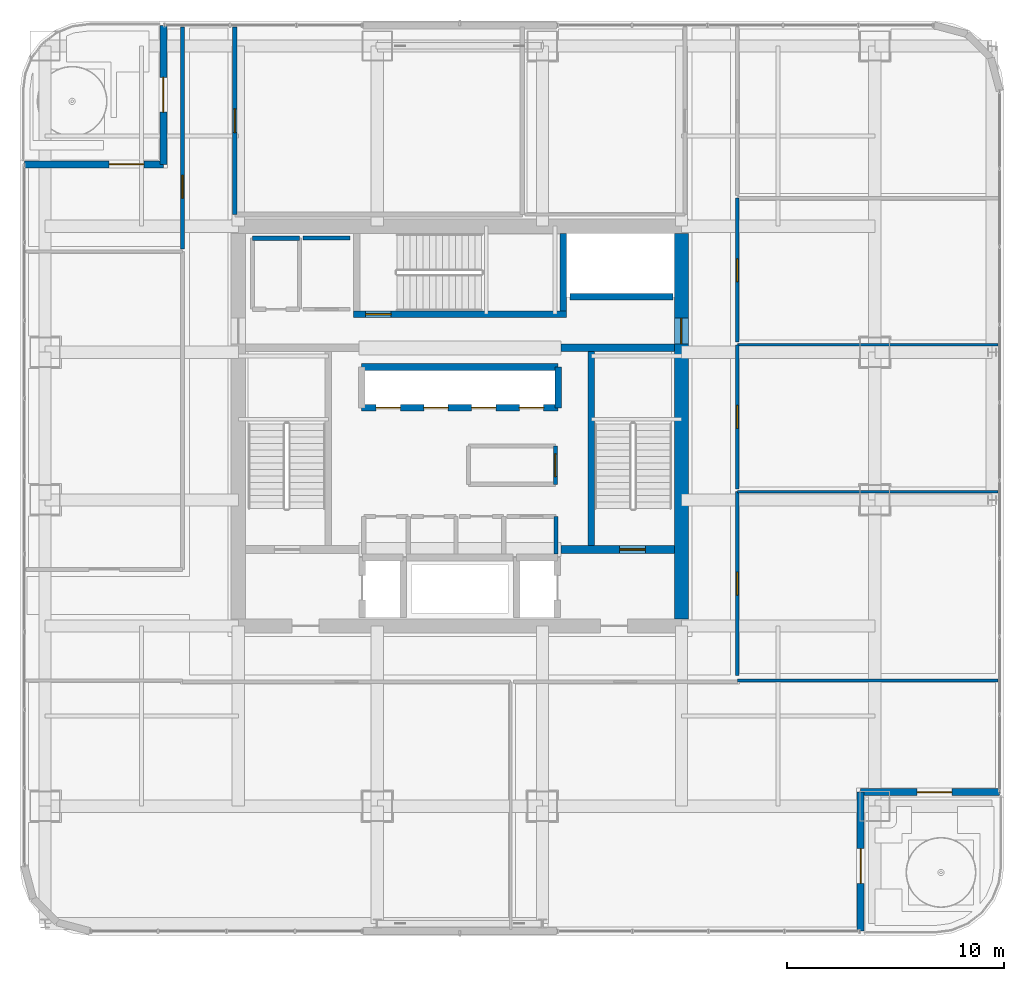
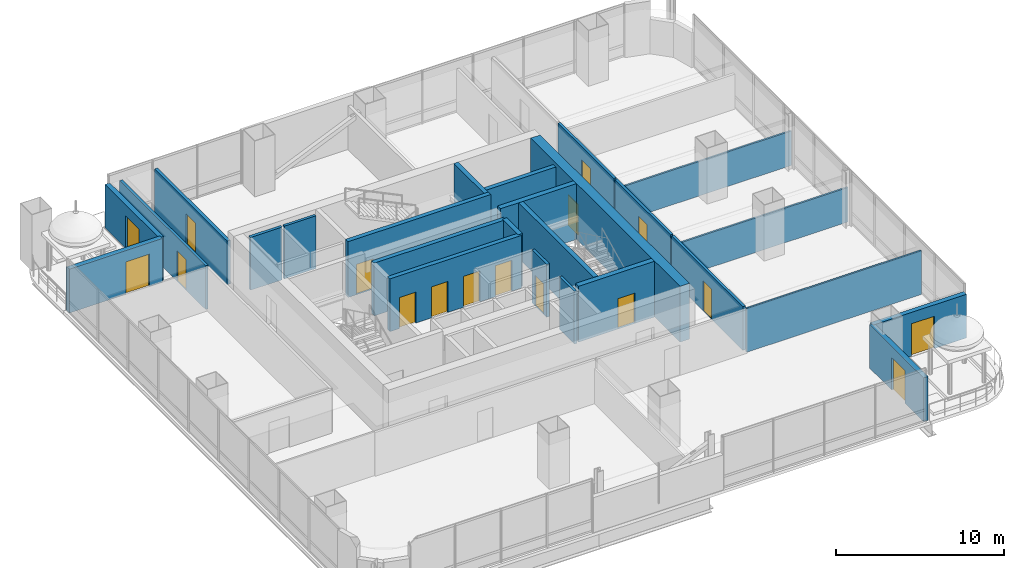
# One storey, part 31 of 41: 26 walls, 17 doors, 17 openings.
"""IFC4 building model written with IfcOpenShell, lengths in metres."""

from ifc_helpers import new_model, si_unit, direction, frame, frame_2d, origin, place, context, subcontext, project, spatial, rectangle, extrude, material, layer, layer_set, type_object, element, fill, save


model = new_model("IFC4")

# Units and contexts
model_context = context("Model", 3, precision=1e-05, world=origin(), true_north=direction((0.0, 1.0)))
body_context = subcontext(model_context, "Body", "Model", "MODEL_VIEW")
ifc_project = project(units=[si_unit("LENGTHUNIT", "METRE"), si_unit("AREAUNIT", "SQUARE_METRE"), si_unit("VOLUMEUNIT", "CUBIC_METRE"), si_unit("PLANEANGLEUNIT", "RADIAN"), si_unit("MASSUNIT", "GRAM", prefix="KILO")], contexts=[model_context])

# Site, building, storey
site_placement = place(None, origin())
site = spatial("IfcSite", under=ifc_project, at=site_placement, CompositionType="ELEMENT")
building_placement = place(site_placement, origin())
building = spatial("IfcBuilding", under=site, at=building_placement, Name="Punatoya Terracotta Tower", CompositionType="ELEMENT")
storey_placement = place(building_placement, frame((0.0, 0.0, 220.800048828125)))
storey = spatial("IfcBuildingStorey", under=building, at=storey_placement, Name="L52", CompositionType="ELEMENT", Elevation=220.800048828125)

# Wall, opening, door
ifc_material_1 = material(Name="Concrete C60/75", Category="concrete")
ifc_layer_1 = layer(ifc_material_1, 0.64990234375)
ifc_layer_set_1 = layer_set([ifc_layer_1], Name="Concrete C60/75")
wall_type_1 = type_object("IfcWallType", Name="WL-COR-650", PredefinedType="SHEAR", material=ifc_layer_set_1)
wall_1_placement = place(storey_placement, frame((10.199951171875, 8.875, 0.0), z_axis=(0.0, 0.0, 1.0), x_axis=(0.0, -1.0, 0.0)))
wall_1 = element("IfcWall", 1, at=wall_1_placement, inside=storey, type_object=wall_type_1, Name="L52 Core Shear Wall E", PredefinedType="SHEAR", context=body_context, shape_type="SweptSolid", body=[
    extrude(rectangle(XDim=17.75, YDim=0.64990234375, at=frame_2d((8.875, 0.0))), origin(), (0.0, 0.0, 1.0), 4.050048828125),
])
opening_1_placement = place(wall_1_placement, frame((3.905029296875, 0.0, 0.0)))
opening_1 = element("IfcOpeningElement", 2, at=opening_1_placement, cuts=wall_1, Name="Opening SD-01", PredefinedType="OPENING", context=body_context, shape_type="SweptSolid", body=[
    extrude(rectangle(XDim=1.179931640625, YDim=2.199951171875, at=frame_2d((0.58984375, 1.10009765625))), frame((0.0, 0.3349609375, 0.0), z_axis=(0.0, -1.0, 0.0), x_axis=(1.0, 0.0, 0.0)), (0.0, 0.0, 1.0), 0.669921875),
])
ifc_material_2 = material(Name="Galvanised Steel Pressurized Stair Fire Door", Category="steel")
door_type_1 = type_object("IfcDoorType", Name="DR-STR-1180", OperationType="NOTDEFINED", PredefinedType="DOOR", material=ifc_material_2)
door_1_placement = place(opening_1_placement, origin())
door_1 = element("IfcDoor", 3, at=door_1_placement, inside=storey, type_object=door_type_1, Name="L52 Central Lift Lobby East Fire Door", OperationType="SINGLE_SWING_RIGHT", OverallHeight=2.199951171875, OverallWidth=1.179931640625, PredefinedType="DOOR", context=body_context, shape_type="SweptSolid", body=[
    extrude(rectangle(XDim=1.179931640625, YDim=2.199951171875, at=frame_2d((0.58984375, 1.10009765625))), frame((0.0, 0.02490234375, 0.0), z_axis=(0.0, -1.0, 0.0), x_axis=(1.0, 0.0, 0.0)), (0.0, 0.0, 1.0), 0.050048828125),
])
fill(opening_1, door_1)

# Walls
ifc_material_3 = material(Name="Gypsum Fireboard + Steel Stud", Category="steel")
ifc_layer_2 = layer(ifc_material_3, 0.179931640625)
ifc_layer_set_2 = layer_set([ifc_layer_2], Name="Gypsum Fireboard + Steel Stud")
wall_type_2 = type_object("IfcWallType", Name="WL-CORR-180", PredefinedType="PARTITIONING", material=ifc_layer_set_2)
wall_2_placement = place(storey_placement, frame((4.419921875, -5.89990234375, 0.0), z_axis=(0.0, 0.0, 1.0), x_axis=(0.0, 1.0, 0.0)))
element("IfcWall", 4, at=wall_2_placement, inside=storey, type_object=wall_type_2, Name="L52 Core Reprographics Studio Partition 08", PredefinedType="PARTITIONING", context=body_context, shape_type="SweptSolid", body=[
    extrude(rectangle(XDim=1.739990234375, YDim=0.179931640625, at=frame_2d((0.8701171875, 0.0))), origin(), (0.0, 0.0, 1.0), 3.829833984375),
])
wall_3_placement = place(storey_placement, frame((-5.050048828125, 8.64990234375, 0.0), z_axis=(0.0, 0.0, 1.0), x_axis=(-1.0, 0.0, 0.0)))
element("IfcWall", 5, at=wall_3_placement, inside=storey, type_object=wall_type_2, Name="L52 West Core Print Room Partition 18", PredefinedType="PARTITIONING", context=body_context, shape_type="SweptSolid", body=[
    extrude(rectangle(XDim=2.169921875, YDim=0.179931640625, at=frame_2d((1.0849609375, 0.0))), origin(), (0.0, 0.0, 1.0), 3.829833984375),
])

# Wall, opening, door
wall_4_placement = place(storey_placement, frame((12.77001953125, -11.489990234375, 0.0), z_axis=(0.0, 0.0, 1.0), x_axis=(0.0, 1.0, 0.0)))
wall_4 = element("IfcWall", 6, at=wall_4_placement, inside=storey, type_object=wall_type_2, Name="L52 Open-Plan Materials Testing Laboratory Partition 26", PredefinedType="PARTITIONING", context=body_context, shape_type="SweptSolid", body=[
    extrude(rectangle(XDim=8.47607421875, YDim=0.179931640625, at=frame_2d((4.238037109375, 0.0))), origin(), (0.0, 0.0, 1.0), 3.174072265625),
])
opening_2_placement = place(wall_4_placement, frame((3.712890625, 0.0, 0.0)))
opening_2 = element("IfcOpeningElement", 7, at=opening_2_placement, cuts=wall_4, Name="Opening OD-01", PredefinedType="OPENING", context=body_context, shape_type="SweptSolid", body=[
    extrude(rectangle(XDim=1.050048828125, YDim=2.199951171875, at=frame_2d((0.52490234375, 1.10009765625))), frame((0.0, 0.099853515625, 0.0), z_axis=(0.0, -1.0, 0.0), x_axis=(1.0, 0.0, 0.0)), (0.0, 0.0, 1.0), 0.199951171875),
])
ifc_material_4 = material(Name="Bengal Teak Solid-Core Leaf")
door_type_2 = type_object("IfcDoorType", Name="DR-OFF-1050", OperationType="NOTDEFINED", PredefinedType="DOOR", material=ifc_material_4)
door_2_placement = place(opening_2_placement, origin())
door_2 = element("IfcDoor", 8, at=door_2_placement, inside=storey, type_object=door_type_2, Name="L52 Open-Plan Materials Testing Laboratory Door", OperationType="SINGLE_SWING_LEFT", OverallHeight=2.199951171875, OverallWidth=1.050048828125, PredefinedType="DOOR", context=body_context, shape_type="SweptSolid", body=[
    extrude(rectangle(XDim=1.050048828125, YDim=2.199951171875, at=frame_2d((0.52490234375, 1.10009765625))), frame((0.0, 0.02490234375, 0.0), z_axis=(0.0, -1.0, 0.0), x_axis=(1.0, 0.0, 0.0)), (0.0, 0.0, 1.0), 0.050048828125),
])
fill(opening_2, door_2)

wall_5_placement = place(storey_placement, frame((12.77001953125, -2.89404296875, 0.0), z_axis=(0.0, 0.0, 1.0), x_axis=(0.0, 1.0, 0.0)))
wall_5 = element("IfcWall", 9, at=wall_5_placement, inside=storey, type_object=wall_type_2, Name="L52 Open-Plan Environmental Research Laboratory Partition 28", PredefinedType="PARTITIONING", context=body_context, shape_type="SweptSolid", body=[
    extrude(rectangle(XDim=6.634033203125, YDim=0.179931640625, at=frame_2d((3.31689453125, 0.0))), origin(), (0.0, 0.0, 1.0), 3.174072265625),
])
opening_3_placement = place(wall_5_placement, frame((2.7919921875, 0.0, 0.0)))
opening_3 = element("IfcOpeningElement", 10, at=opening_3_placement, cuts=wall_5, Name="Opening OD-01", PredefinedType="OPENING", context=body_context, shape_type="SweptSolid", body=[
    extrude(rectangle(XDim=1.050048828125, YDim=2.199951171875, at=frame_2d((0.52490234375, 1.10009765625))), frame((0.0, 0.099853515625, 0.0), z_axis=(0.0, -1.0, 0.0), x_axis=(1.0, 0.0, 0.0)), (0.0, 0.0, 1.0), 0.199951171875),
])
door_3_placement = place(opening_3_placement, origin())
door_3 = element("IfcDoor", 11, at=door_3_placement, inside=storey, type_object=door_type_2, Name="L52 Open-Plan Environmental Research Laboratory Door", OperationType="SINGLE_SWING_RIGHT", OverallHeight=2.199951171875, OverallWidth=1.050048828125, PredefinedType="DOOR", context=body_context, shape_type="SweptSolid", body=[
    extrude(rectangle(XDim=1.050048828125, YDim=2.199951171875, at=frame_2d((0.52490234375, 1.10009765625))), frame((0.0, 0.02490234375, 0.0), z_axis=(0.0, -1.0, 0.0), x_axis=(1.0, 0.0, 0.0)), (0.0, 0.0, 1.0), 0.050048828125),
])
fill(opening_3, door_3)

wall_6_placement = place(storey_placement, frame((12.77001953125, 3.860107421875, 0.0), z_axis=(0.0, 0.0, 1.0), x_axis=(0.0, 1.0, 0.0)))
wall_6 = element("IfcWall", 12, at=wall_6_placement, inside=storey, type_object=wall_type_2, Name="L52 Laboratory Staff Pantry Partition 33", PredefinedType="PARTITIONING", context=body_context, shape_type="SweptSolid", body=[
    extrude(rectangle(XDim=6.6337890625, YDim=0.179931640625, at=frame_2d((3.31689453125, 0.0))), origin(), (0.0, 0.0, 1.0), 3.174072265625),
])
opening_4_placement = place(wall_6_placement, frame((2.7919921875, 0.0, 0.0)))
opening_4 = element("IfcOpeningElement", 13, at=opening_4_placement, cuts=wall_6, Name="Opening OD-01", PredefinedType="OPENING", context=body_context, shape_type="SweptSolid", body=[
    extrude(rectangle(XDim=1.050048828125, YDim=2.199951171875, at=frame_2d((0.52490234375, 1.10009765625))), frame((0.0, 0.099853515625, 0.0), z_axis=(0.0, -1.0, 0.0), x_axis=(1.0, 0.0, 0.0)), (0.0, 0.0, 1.0), 0.199951171875),
])
door_4_placement = place(opening_4_placement, origin())
door_4 = element("IfcDoor", 14, at=door_4_placement, inside=storey, type_object=door_type_2, Name="L52 Laboratory Staff Pantry Door", OperationType="SINGLE_SWING_RIGHT", OverallHeight=2.199951171875, OverallWidth=1.050048828125, PredefinedType="DOOR", context=body_context, shape_type="SweptSolid", body=[
    extrude(rectangle(XDim=1.050048828125, YDim=2.199951171875, at=frame_2d((0.52490234375, 1.10009765625))), frame((0.0, 0.02490234375, 0.0), z_axis=(0.0, -1.0, 0.0), x_axis=(1.0, 0.0, 0.0)), (0.0, 0.0, 1.0), 0.050048828125),
])
fill(opening_4, door_4)

wall_7_placement = place(storey_placement, frame((-12.77001953125, 18.3701171875, 0.0), z_axis=(0.0, 0.0, 1.0), x_axis=(0.0, -1.0, 0.0)))
wall_7 = element("IfcWall", 15, at=wall_7_placement, inside=storey, type_object=wall_type_2, Name="L52 Wellness Rest Room Partition 34", PredefinedType="PARTITIONING", context=body_context, shape_type="SweptSolid", body=[
    extrude(rectangle(XDim=10.212158203125, YDim=0.179931640625, at=frame_2d((5.10595703125, 0.0))), origin(), (0.0, 0.0, 1.0), 3.174072265625),
])
opening_5_placement = place(wall_7_placement, frame((6.8310546875, 0.0, 0.0)))
opening_5 = element("IfcOpeningElement", 16, at=opening_5_placement, cuts=wall_7, Name="Opening OD-01", PredefinedType="OPENING", context=body_context, shape_type="SweptSolid", body=[
    extrude(rectangle(XDim=1.050048828125, YDim=2.199951171875, at=frame_2d((0.52490234375, 1.10009765625))), frame((0.0, 0.099853515625, 0.0), z_axis=(0.0, -1.0, 0.0), x_axis=(1.0, 0.0, 0.0)), (0.0, 0.0, 1.0), 0.199951171875),
])
door_5_placement = place(opening_5_placement, origin())
door_5 = element("IfcDoor", 17, at=door_5_placement, inside=storey, type_object=door_type_2, Name="L52 Wellness Rest Room Door", OperationType="SINGLE_SWING_LEFT", OverallHeight=2.199951171875, OverallWidth=1.050048828125, PredefinedType="DOOR", context=body_context, shape_type="SweptSolid", body=[
    extrude(rectangle(XDim=1.050048828125, YDim=2.199951171875, at=frame_2d((0.52490234375, 1.10009765625))), frame((0.0, 0.02490234375, 0.0), z_axis=(0.0, -1.0, 0.0), x_axis=(1.0, 0.0, 0.0)), (0.0, 0.0, 1.0), 0.050048828125),
])
fill(opening_5, door_5)

ifc_material_5 = material(Name="Precast concrete C40/50", Category="concrete")
ifc_layer_3 = layer(ifc_material_5, 0.320068359375)
ifc_layer_set_3 = layer_set([ifc_layer_3], Name="Precast concrete C40/50")
wall_type_3 = type_object("IfcWallType", Name="WL-EXT-320", PredefinedType="SOLIDWALL", material=ifc_layer_set_3)
wall_8_placement = place(storey_placement, frame((18.449951171875, -23.25, 0.0), z_axis=(0.0, 0.0, 1.0), x_axis=(0.0, 1.0, 0.0)))
wall_8 = element("IfcWall", 18, at=wall_8_placement, inside=storey, type_object=wall_type_3, Name="L52 Recessed Corner-Slot Terracotta Wall 02", PredefinedType="SOLIDWALL", context=body_context, shape_type="SweptSolid", body=[
    extrude(rectangle(XDim=6.39990234375, YDim=0.320068359375, at=frame_2d((3.199951171875, 0.0))), origin(), (0.0, 0.0, 1.0), 3.174072265625),
])
opening_6_placement = place(wall_8_placement, frame((2.199951171875, 0.0, 0.0)))
opening_6 = element("IfcOpeningElement", 19, at=opening_6_placement, cuts=wall_8, Name="Opening TD-01", PredefinedType="OPENING", context=body_context, shape_type="SweptSolid", body=[
    extrude(rectangle(XDim=1.60009765625, YDim=2.35009765625, at=frame_2d((0.800048828125, 1.175048828125))), frame((0.0, 0.169921875, 0.0), z_axis=(0.0, -1.0, 0.0), x_axis=(1.0, 0.0, 0.0)), (0.0, 0.0, 1.0), 0.340087890625),
])
ifc_material_6 = material(Name="Aluminium 6063-T6 + Low-E Glass", Category="aluminium")
door_type_3 = type_object("IfcDoorType", Name="DR-TER-1600", OperationType="NOTDEFINED", PredefinedType="DOOR", material=ifc_material_6)
door_6_placement = place(opening_6_placement, origin())
door_6 = element("IfcDoor", 20, at=door_6_placement, inside=storey, type_object=door_type_3, Name="L52 Corner Sky-Court Terrace Access Door 02", OperationType="SINGLE_SWING_LEFT", OverallHeight=2.35009765625, OverallWidth=1.60009765625, PredefinedType="DOOR", context=body_context, shape_type="SweptSolid", body=[
    extrude(rectangle(XDim=1.60009765625, YDim=2.35009765625, at=frame_2d((0.800048828125, 1.175048828125))), frame((0.0, 0.02490234375, 0.0), z_axis=(0.0, -1.0, 0.0), x_axis=(1.0, 0.0, 0.0)), (0.0, 0.0, 1.0), 0.050048828125),
])
fill(opening_6, door_6)

wall_9_placement = place(storey_placement, frame((18.449951171875, -16.85009765625, 0.0), z_axis=(0.0, 0.0, 1.0), x_axis=(1.0, 0.0, 0.0)))
wall_9 = element("IfcWall", 21, at=wall_9_placement, inside=storey, type_object=wall_type_3, Name="L52 Recessed Corner-Slot Terracotta Wall 03", PredefinedType="SOLIDWALL", context=body_context, shape_type="SweptSolid", body=[
    extrude(rectangle(XDim=6.400146484375, YDim=0.320068359375, at=frame_2d((3.2001953125, 0.0))), origin(), (0.0, 0.0, 1.0), 3.174072265625),
])
opening_7_placement = place(wall_9_placement, frame((2.60009765625, 0.0, 0.0)))
opening_7 = element("IfcOpeningElement", 22, at=opening_7_placement, cuts=wall_9, Name="Opening TD-01", PredefinedType="OPENING", context=body_context, shape_type="SweptSolid", body=[
    extrude(rectangle(XDim=1.60009765625, YDim=2.35009765625, at=frame_2d((0.800048828125, 1.175048828125))), frame((0.0, 0.169921875, 0.0), z_axis=(0.0, -1.0, 0.0), x_axis=(1.0, 0.0, 0.0)), (0.0, 0.0, 1.0), 0.340087890625),
])
door_7_placement = place(opening_7_placement, origin())
door_7 = element("IfcDoor", 23, at=door_7_placement, inside=storey, type_object=door_type_3, Name="L52 Corner Sky-Court Terrace Access Door 03", OperationType="SINGLE_SWING_RIGHT", OverallHeight=2.35009765625, OverallWidth=1.60009765625, PredefinedType="DOOR", context=body_context, shape_type="SweptSolid", body=[
    extrude(rectangle(XDim=1.60009765625, YDim=2.35009765625, at=frame_2d((0.800048828125, 1.175048828125))), frame((0.0, 0.02490234375, 0.0), z_axis=(0.0, -1.0, 0.0), x_axis=(1.0, 0.0, 0.0)), (0.0, 0.0, 1.0), 0.050048828125),
])
fill(opening_7, door_7)

wall_10_placement = place(storey_placement, frame((-13.64990234375, 18.449951171875, 0.0), z_axis=(0.0, 0.0, 1.0), x_axis=(0.0, -1.0, 0.0)))
wall_10 = element("IfcWall", 24, at=wall_10_placement, inside=storey, type_object=wall_type_3, Name="L52 Recessed Corner-Slot Terracotta Wall 09", PredefinedType="SOLIDWALL", context=body_context, shape_type="SweptSolid", body=[
    extrude(rectangle(XDim=6.39990234375, YDim=0.320068359375, at=frame_2d((3.199951171875, 0.0))), origin(), (0.0, 0.0, 1.0), 3.174072265625),
])
opening_8_placement = place(wall_10_placement, frame((2.39990234375, 0.0, 0.0)))
opening_8 = element("IfcOpeningElement", 25, at=opening_8_placement, cuts=wall_10, Name="Opening TD-01", PredefinedType="OPENING", context=body_context, shape_type="SweptSolid", body=[
    extrude(rectangle(XDim=1.60009765625, YDim=2.35009765625, at=frame_2d((0.800048828125, 1.175048828125))), frame((0.0, 0.169921875, 0.0), z_axis=(0.0, -1.0, 0.0), x_axis=(1.0, 0.0, 0.0)), (0.0, 0.0, 1.0), 0.340087890625),
])
door_8_placement = place(opening_8_placement, origin())
door_8 = element("IfcDoor", 26, at=door_8_placement, inside=storey, type_object=door_type_3, Name="L52 Corner Sky-Court Terrace Access Door 09", OperationType="SINGLE_SWING_LEFT", OverallHeight=2.35009765625, OverallWidth=1.60009765625, PredefinedType="DOOR", context=body_context, shape_type="SweptSolid", body=[
    extrude(rectangle(XDim=1.60009765625, YDim=2.35009765625, at=frame_2d((0.800048828125, 1.175048828125))), frame((0.0, 0.02490234375, 0.0), z_axis=(0.0, -1.0, 0.0), x_axis=(1.0, 0.0, 0.0)), (0.0, 0.0, 1.0), 0.050048828125),
])
fill(opening_8, door_8)

wall_11_placement = place(storey_placement, frame((-13.64990234375, 12.050048828125, 0.0), z_axis=(0.0, 0.0, 1.0), x_axis=(-1.0, 0.0, 0.0)))
wall_11 = element("IfcWall", 27, at=wall_11_placement, inside=storey, type_object=wall_type_3, Name="L52 Recessed Corner-Slot Terracotta Wall 10", PredefinedType="SOLIDWALL", context=body_context, shape_type="SweptSolid", body=[
    extrude(rectangle(XDim=6.400146484375, YDim=0.320068359375, at=frame_2d((3.2001953125, 0.0))), origin(), (0.0, 0.0, 1.0), 3.174072265625),
])
opening_9_placement = place(wall_11_placement, frame((0.89990234375, 0.0, 0.0)))
opening_9 = element("IfcOpeningElement", 28, at=opening_9_placement, cuts=wall_11, Name="Opening TD-01", PredefinedType="OPENING", context=body_context, shape_type="SweptSolid", body=[
    extrude(rectangle(XDim=1.60009765625, YDim=2.35009765625, at=frame_2d((0.800048828125, 1.175048828125))), frame((0.0, 0.169921875, 0.0), z_axis=(0.0, -1.0, 0.0), x_axis=(1.0, 0.0, 0.0)), (0.0, 0.0, 1.0), 0.340087890625),
])
door_9_placement = place(opening_9_placement, origin())
door_9 = element("IfcDoor", 29, at=door_9_placement, inside=storey, type_object=door_type_3, Name="L52 Corner Sky-Court Terrace Access Door 10", OperationType="SINGLE_SWING_RIGHT", OverallHeight=2.35009765625, OverallWidth=1.60009765625, PredefinedType="DOOR", context=body_context, shape_type="SweptSolid", body=[
    extrude(rectangle(XDim=1.60009765625, YDim=2.35009765625, at=frame_2d((0.800048828125, 1.175048828125))), frame((0.0, 0.02490234375, 0.0), z_axis=(0.0, -1.0, 0.0), x_axis=(1.0, 0.0, 0.0)), (0.0, 0.0, 1.0), 0.050048828125),
])
fill(opening_9, door_9)

ifc_material_7 = material(Name="Concrete C40/50", Category="concrete")
ifc_layer_4 = layer(ifc_material_7, 0.219970703125)
ifc_layer_set_4 = layer_set([ifc_layer_4], Name="Concrete C40/50")
wall_type_4 = type_object("IfcWallType", Name="WL-FIR-220", PredefinedType="SOLIDWALL", material=ifc_layer_set_4)
wall_12_placement = place(storey_placement, frame((-10.360107421875, 9.739990234375, 0.0), z_axis=(0.0, 0.0, 1.0), x_axis=(0.0, 1.0, 0.0)))
wall_12 = element("IfcWall", 30, at=wall_12_placement, inside=storey, type_object=wall_type_4, Name="L52 Open-Plan Geospatial Data Archive Partition 37", PredefinedType="SOLIDWALL", context=body_context, shape_type="SweptSolid", body=[
    extrude(rectangle(XDim=8.630126953125, YDim=0.219970703125, at=frame_2d((4.31494140625, 0.0))), origin(), (0.0, 0.0, 1.0), 3.174072265625),
])
opening_10_placement = place(wall_12_placement, frame((3.764892578125, 0.0, 0.0)))
opening_10 = element("IfcOpeningElement", 31, at=opening_10_placement, cuts=wall_12, Name="Opening FD-P1", PredefinedType="OPENING", context=body_context, shape_type="SweptSolid", body=[
    extrude(rectangle(XDim=1.10009765625, YDim=2.199951171875, at=frame_2d((0.550048828125, 1.10009765625))), frame((0.0, 0.119873046875, 0.0), z_axis=(0.0, -1.0, 0.0), x_axis=(1.0, 0.0, 0.0)), (0.0, 0.0, 1.0), 0.239990234375),
])
ifc_material_8 = material(Name="Galvanised Steel Plant Fire Door", Category="steel")
door_type_4 = type_object("IfcDoorType", Name="DR-PLT-1100", OperationType="NOTDEFINED", PredefinedType="DOOR", material=ifc_material_8)
door_10_placement = place(opening_10_placement, origin())
door_10 = element("IfcDoor", 32, at=door_10_placement, inside=storey, type_object=door_type_4, Name="L52 Open-Plan Geospatial Data Archive Fire Door", OperationType="SINGLE_SWING_RIGHT", OverallHeight=2.199951171875, OverallWidth=1.10009765625, PredefinedType="DOOR", context=body_context, shape_type="SweptSolid", body=[
    extrude(rectangle(XDim=1.10009765625, YDim=2.199951171875, at=frame_2d((0.550048828125, 1.10009765625))), frame((0.0, 0.02490234375, 0.0), z_axis=(0.0, -1.0, 0.0), x_axis=(1.0, 0.0, 0.0)), (0.0, 0.0, 1.0), 0.050048828125),
])
fill(opening_10, door_10)

ifc_layer_5 = layer(ifc_material_7, 0.199951171875)
ifc_layer_set_5 = layer_set([ifc_layer_5], Name="Concrete C40/50")
wall_type_5 = type_object("IfcWallType", Name="WL-INT-200", PredefinedType="SOLIDWALL", material=ifc_layer_set_5)
wall_13_placement = place(storey_placement, frame((4.39990234375, -2.679931640625, 0.0), z_axis=(0.0, 0.0, 1.0), x_axis=(0.0, 1.0, 0.0)))
wall_13 = element("IfcWall", 33, at=wall_13_placement, inside=storey, type_object=wall_type_5, Name="L52 East Core Tea Pantry Partition 10", PredefinedType="SOLIDWALL", context=body_context, shape_type="SweptSolid", body=[
    extrude(rectangle(XDim=1.760009765625, YDim=0.199951171875, at=frame_2d((0.8798828125, 0.0))), origin(), (0.0, 0.0, 1.0), 3.829833984375),
])
opening_11_placement = place(wall_13_placement, frame((0.35498046875, 0.0, 0.0)))
opening_11 = element("IfcOpeningElement", 34, at=opening_11_placement, cuts=wall_13, Name="Opening OD-01", PredefinedType="OPENING", context=body_context, shape_type="SweptSolid", body=[
    extrude(rectangle(XDim=1.050048828125, YDim=2.199951171875, at=frame_2d((0.52490234375, 1.10009765625))), frame((0.0, 0.10986328125, 0.0), z_axis=(0.0, -1.0, 0.0), x_axis=(1.0, 0.0, 0.0)), (0.0, 0.0, 1.0), 0.219970703125),
])
door_11_placement = place(opening_11_placement, origin())
door_11 = element("IfcDoor", 35, at=door_11_placement, inside=storey, type_object=door_type_2, Name="L52 East Tea Pantry Door", OperationType="SINGLE_SWING_RIGHT", OverallHeight=2.199951171875, OverallWidth=1.050048828125, PredefinedType="DOOR", context=body_context, shape_type="SweptSolid", body=[
    extrude(rectangle(XDim=1.050048828125, YDim=2.199951171875, at=frame_2d((0.52490234375, 1.10009765625))), frame((0.0, 0.02490234375, 0.0), z_axis=(0.0, -1.0, 0.0), x_axis=(1.0, 0.0, 0.0)), (0.0, 0.0, 1.0), 0.050048828125),
])
fill(opening_11, door_11)

# Walls
wall_14_placement = place(storey_placement, frame((-7.3798828125, 8.64990234375, 0.0), z_axis=(0.0, 0.0, 1.0), x_axis=(-1.0, 0.0, 0.0)))
element("IfcWall", 36, at=wall_14_placement, inside=storey, type_object=wall_type_5, Name="L52 West Core Archive Vault Partition 15", PredefinedType="SOLIDWALL", context=body_context, shape_type="SweptSolid", body=[
    extrude(rectangle(XDim=2.170166015625, YDim=0.199951171875, at=frame_2d((1.0849609375, 0.0))), origin(), (0.0, 0.0, 1.0), 3.829833984375),
])
ifc_material_9 = material(Name="Gypsum Partition + Steel Stud", Category="steel")
ifc_layer_6 = layer(ifc_material_9, 0.1201171875)
ifc_layer_set_6 = layer_set([ifc_layer_6], Name="Gypsum Partition + Steel Stud")
wall_type_6 = type_object("IfcWallType", Name="WL-OFF-120", PredefinedType="PARTITIONING", material=ifc_layer_set_6)
wall_15_placement = place(storey_placement, frame((12.77001953125, -11.7099609375, 0.0), z_axis=(0.0, 0.0, 1.0), x_axis=(1.0, 0.0, 0.0)))
element("IfcWall", 37, at=wall_15_placement, inside=storey, type_object=wall_type_6, Name="L52 Cartography Reference Library Partition 23", PredefinedType="PARTITIONING", context=body_context, shape_type="SweptSolid", body=[
    extrude(rectangle(XDim=12.0, YDim=0.1201171875, at=frame_2d((6.0, 0.0))), origin(), (0.0, 0.0, 1.0), 3.174072265625),
])
for number, where, z_axis, x_axis, name in (
    (38, (12.77001953125, -3.013916015625, 0.0), (0.0, 0.0, 1.0), (1.0, 0.0, 0.0), "L52 Open-Plan Materials Testing Laboratory Partition 25"),
    (39, (12.77001953125, 3.739990234375, 0.0), (0.0, 0.0, 1.0), (1.0, 0.0, 0.0), "L52 Open-Plan Environmental Research Laboratory Partition 27"),
):
    element("IfcWall", number, at=place(storey_placement, frame(where, z_axis=z_axis, x_axis=x_axis)), inside=storey, type_object=wall_type_6, Name=name, PredefinedType="PARTITIONING", context=body_context, shape_type="SweptSolid", body=[
        extrude(rectangle(XDim=12.0, YDim=0.1201171875, at=frame_2d((6.0, 0.0))), origin(), (0.0, 0.0, 1.0), 2.50390625),
    ])
ifc_layer_7 = layer(ifc_material_7, 0.300048828125)
ifc_layer_set_7 = layer_set([ifc_layer_7], Name="Concrete C40/50")
wall_type_7 = type_object("IfcWallType", Name="WL-SHF-300", PredefinedType="SOLIDWALL", material=ifc_layer_set_7)
wall_16_placement = place(storey_placement, frame((6.050048828125, 3.449951171875, 0.0), z_axis=(0.0, 0.0, 1.0), x_axis=(0.0, -1.0, 0.0)))
element("IfcWall", 40, at=wall_16_placement, inside=storey, type_object=wall_type_7, Name="L52 Structural Stair Shaft Wall SW-ST2-W", PredefinedType="SOLIDWALL", context=body_context, shape_type="SweptSolid", body=[
    extrude(rectangle(XDim=8.949951171875, YDim=0.300048828125, at=frame_2d((4.47509765625, 0.0))), origin(), (0.0, 0.0, 1.0), 4.050048828125),
])
wall_17_placement = place(storey_placement, frame((4.75, 8.875, 0.0), z_axis=(0.0, 0.0, 1.0), x_axis=(0.0, -1.0, 0.0)))
element("IfcWall", 41, at=wall_17_placement, inside=storey, type_object=wall_type_7, Name="L52 Structural Stair Shaft Wall SW-ST3-E", PredefinedType="SOLIDWALL", context=body_context, shape_type="SweptSolid", body=[
    extrude(rectangle(XDim=3.574951171875, YDim=0.300048828125, at=frame_2d((1.78759765625, 0.0))), origin(), (0.0, 0.0, 1.0), 4.050048828125),
])

# Wall, opening, door
wall_18_placement = place(storey_placement, frame((-4.89990234375, 5.14990234375, 0.0), z_axis=(0.0, 0.0, 1.0), x_axis=(1.0, 0.0, 0.0)))
wall_18 = element("IfcWall", 42, at=wall_18_placement, inside=storey, type_object=wall_type_7, Name="L52 Structural Stair Shaft Wall SW-ST3-S", PredefinedType="SOLIDWALL", context=body_context, shape_type="SweptSolid", body=[
    extrude(rectangle(XDim=9.7998046875, YDim=0.300048828125, at=frame_2d((4.89990234375, 0.0))), origin(), (0.0, 0.0, 1.0), 4.050048828125),
])
opening_12_placement = place(wall_18_placement, frame((0.56005859375, 0.0, 0.0)))
opening_12 = element("IfcOpeningElement", 43, at=opening_12_placement, cuts=wall_18, Name="Opening SD-01", PredefinedType="OPENING", context=body_context, shape_type="SweptSolid", body=[
    extrude(rectangle(XDim=1.179931640625, YDim=2.199951171875, at=frame_2d((0.58984375, 1.10009765625))), frame((0.0, 0.159912109375, 0.0), z_axis=(0.0, -1.0, 0.0), x_axis=(1.0, 0.0, 0.0)), (0.0, 0.0, 1.0), 0.320068359375),
])
door_12_placement = place(opening_12_placement, origin())
door_12 = element("IfcDoor", 44, at=door_12_placement, inside=storey, type_object=door_type_1, Name="L52 Stair ST-3 Core Lobby Fire Door", OperationType="SINGLE_SWING_LEFT", OverallHeight=2.199951171875, OverallWidth=1.179931640625, PredefinedType="DOOR", context=body_context, shape_type="SweptSolid", body=[
    extrude(rectangle(XDim=1.179931640625, YDim=2.199951171875, at=frame_2d((0.58984375, 1.10009765625))), frame((0.0, 0.02490234375, 0.0), z_axis=(0.0, -1.0, 0.0), x_axis=(1.0, 0.0, 0.0)), (0.0, 0.0, 1.0), 0.050048828125),
])
fill(opening_12, door_12)

# Wall, openings, doors
wall_19_placement = place(storey_placement, frame((-4.52001953125, 0.840087890625, 0.0), z_axis=(0.0, 0.0, 1.0), x_axis=(1.0, 0.0, 0.0)))
wall_19 = element("IfcWall", 45, at=wall_19_placement, inside=storey, type_object=wall_type_7, Name="L52 North Lift Bank Front Shaft Wall", PredefinedType="SOLIDWALL", context=body_context, shape_type="SweptSolid", body=[
    extrude(rectangle(XDim=9.0400390625, YDim=0.300048828125, at=frame_2d((4.52001953125, 0.0))), origin(), (0.0, 0.0, 1.0), 3.829833984375),
])
opening_13_placement = place(wall_19_placement, frame((0.659912109375, 0.0, 0.0)))
opening_13 = element("IfcOpeningElement", 46, at=opening_13_placement, cuts=wall_19, Name="Opening LD-02", PredefinedType="OPENING", context=body_context, shape_type="SweptSolid", body=[
    extrude(rectangle(XDim=1.1201171875, YDim=2.25, at=frame_2d((0.56005859375, 1.125))), frame((0.0, 0.159912109375, 0.0), z_axis=(0.0, -1.0, 0.0), x_axis=(1.0, 0.0, 0.0)), (0.0, 0.0, 1.0), 0.320068359375),
])
opening_14_placement = place(wall_19_placement, frame((2.860107421875, 0.0, 0.0)))
opening_14 = element("IfcOpeningElement", 47, at=opening_14_placement, cuts=wall_19, Name="Opening LD-02", PredefinedType="OPENING", context=body_context, shape_type="SweptSolid", body=[
    extrude(rectangle(XDim=1.1201171875, YDim=2.25, at=frame_2d((0.56005859375, 1.125))), frame((0.0, 0.159912109375, 0.0), z_axis=(0.0, -1.0, 0.0), x_axis=(1.0, 0.0, 0.0)), (0.0, 0.0, 1.0), 0.320068359375),
])
opening_15_placement = place(wall_19_placement, frame((5.06005859375, 0.0, 0.0)))
opening_15 = element("IfcOpeningElement", 48, at=opening_15_placement, cuts=wall_19, Name="Opening LD-02", PredefinedType="OPENING", context=body_context, shape_type="SweptSolid", body=[
    extrude(rectangle(XDim=1.1201171875, YDim=2.25, at=frame_2d((0.56005859375, 1.125))), frame((0.0, 0.159912109375, 0.0), z_axis=(0.0, -1.0, 0.0), x_axis=(1.0, 0.0, 0.0)), (0.0, 0.0, 1.0), 0.320068359375),
])
opening_16_placement = place(wall_19_placement, frame((7.260009765625, 0.0, 0.0)))
opening_16 = element("IfcOpeningElement", 49, at=opening_16_placement, cuts=wall_19, Name="Opening LD-02", PredefinedType="OPENING", context=body_context, shape_type="SweptSolid", body=[
    extrude(rectangle(XDim=1.1201171875, YDim=2.25, at=frame_2d((0.56005859375, 1.125))), frame((0.0, 0.159912109375, 0.0), z_axis=(0.0, -1.0, 0.0), x_axis=(1.0, 0.0, 0.0)), (0.0, 0.0, 1.0), 0.320068359375),
])
ifc_material_10 = material(Name="Stainless Steel Lift Landing Door", Category="steel")
door_type_5 = type_object("IfcDoorType", Name="DR-LND-1120", OperationType="NOTDEFINED", PredefinedType="DOOR", material=ifc_material_10)
door_13_placement = place(opening_13_placement, origin())
door_13 = element("IfcDoor", 50, at=door_13_placement, inside=storey, type_object=door_type_5, Name="L52 Lift PL-M1 Sliding Landing Door", OperationType="DOUBLE_DOOR_SLIDING", OverallHeight=2.25, OverallWidth=1.1201171875, PredefinedType="DOOR", context=body_context, shape_type="SweptSolid", body=[
    extrude(rectangle(XDim=1.1201171875, YDim=2.25, at=frame_2d((0.56005859375, 1.125))), frame((0.0, 0.02490234375, 0.0), z_axis=(0.0, -1.0, 0.0), x_axis=(1.0, 0.0, 0.0)), (0.0, 0.0, 1.0), 0.050048828125),
])
fill(opening_13, door_13)
door_14_placement = place(opening_14_placement, origin())
door_14 = element("IfcDoor", 51, at=door_14_placement, inside=storey, type_object=door_type_5, Name="L52 Lift PL-M2 Sliding Landing Door", OperationType="DOUBLE_DOOR_SLIDING", OverallHeight=2.25, OverallWidth=1.1201171875, PredefinedType="DOOR", context=body_context, shape_type="SweptSolid", body=[
    extrude(rectangle(XDim=1.1201171875, YDim=2.25, at=frame_2d((0.56005859375, 1.125))), frame((0.0, 0.02490234375, 0.0), z_axis=(0.0, -1.0, 0.0), x_axis=(1.0, 0.0, 0.0)), (0.0, 0.0, 1.0), 0.050048828125),
])
fill(opening_14, door_14)
door_15_placement = place(opening_15_placement, origin())
door_15 = element("IfcDoor", 52, at=door_15_placement, inside=storey, type_object=door_type_5, Name="L52 Lift PL-M3 Sliding Landing Door", OperationType="DOUBLE_DOOR_SLIDING", OverallHeight=2.25, OverallWidth=1.1201171875, PredefinedType="DOOR", context=body_context, shape_type="SweptSolid", body=[
    extrude(rectangle(XDim=1.1201171875, YDim=2.25, at=frame_2d((0.56005859375, 1.125))), frame((0.0, 0.02490234375, 0.0), z_axis=(0.0, -1.0, 0.0), x_axis=(1.0, 0.0, 0.0)), (0.0, 0.0, 1.0), 0.050048828125),
])
fill(opening_15, door_15)
door_16_placement = place(opening_16_placement, origin())
door_16 = element("IfcDoor", 53, at=door_16_placement, inside=storey, type_object=door_type_5, Name="L52 Lift PL-M4 Sliding Landing Door", OperationType="DOUBLE_DOOR_SLIDING", OverallHeight=2.25, OverallWidth=1.1201171875, PredefinedType="DOOR", context=body_context, shape_type="SweptSolid", body=[
    extrude(rectangle(XDim=1.1201171875, YDim=2.25, at=frame_2d((0.56005859375, 1.125))), frame((0.0, 0.02490234375, 0.0), z_axis=(0.0, -1.0, 0.0), x_axis=(1.0, 0.0, 0.0)), (0.0, 0.0, 1.0), 0.050048828125),
])
fill(opening_16, door_16)

# Walls
wall_20_placement = place(storey_placement, frame((-4.52001953125, 2.719970703125, 0.0), z_axis=(0.0, 0.0, 1.0), x_axis=(1.0, 0.0, 0.0)))
element("IfcWall", 54, at=wall_20_placement, inside=storey, type_object=wall_type_7, Name="L52 North Lift Bank Rear Shaft Wall", PredefinedType="SOLIDWALL", context=body_context, shape_type="SweptSolid", body=[
    extrude(rectangle(XDim=9.0400390625, YDim=0.300048828125, at=frame_2d((4.52001953125, 0.0))), origin(), (0.0, 0.0, 1.0), 3.829833984375),
])
wall_21_placement = place(storey_placement, frame((4.52001953125, 0.840087890625, 0.0), z_axis=(0.0, 0.0, 1.0), x_axis=(0.0, 1.0, 0.0)))
element("IfcWall", 55, at=wall_21_placement, inside=storey, type_object=wall_type_7, Name="L52 North Lift Bank East End Wall", PredefinedType="SOLIDWALL", context=body_context, shape_type="SweptSolid", body=[
    extrude(rectangle(XDim=1.8798828125, YDim=0.300048828125, at=frame_2d((0.93994140625, 0.0))), origin(), (0.0, 0.0, 1.0), 3.829833984375),
])
wall_22_placement = place(storey_placement, frame((5.06005859375, 5.949951171875, 0.0), z_axis=(0.0, 0.0, 1.0), x_axis=(1.0, 0.0, 0.0)))
element("IfcWall", 56, at=wall_22_placement, inside=storey, type_object=wall_type_7, Name="L52 Shuttle SL-2 South Hoistway Wall", PredefinedType="SOLIDWALL", context=body_context, shape_type="SweptSolid", body=[
    extrude(rectangle(XDim=4.760009765625, YDim=0.300048828125, at=frame_2d((2.3798828125, 0.0))), origin(), (0.0, 0.0, 1.0), 3.829833984375),
])

# Wall, opening, door
ifc_material_11 = material(Name="Concrete C50/60", Category="concrete")
ifc_layer_8 = layer(ifc_material_11, 0.35009765625)
ifc_layer_set_8 = layer_set([ifc_layer_8], Name="Concrete C50/60")
wall_type_8 = type_object("IfcWallType", Name="WL-SHF-350", PredefinedType="SOLIDWALL", material=ifc_layer_set_8)
wall_23_placement = place(storey_placement, frame((4.64990234375, -5.679931640625, 0.0), z_axis=(0.0, 0.0, 1.0), x_axis=(1.0, 0.0, 0.0)))
wall_23 = element("IfcWall", 57, at=wall_23_placement, inside=storey, type_object=wall_type_8, Name="L52 Core Web Wall CSW-R", PredefinedType="SOLIDWALL", context=body_context, shape_type="SweptSolid", body=[
    extrude(rectangle(XDim=5.22509765625, YDim=0.35009765625, at=frame_2d((2.612548828125, 0.0))), origin(), (0.0, 0.0, 1.0), 4.050048828125),
])
opening_17_placement = place(wall_23_placement, frame((2.7099609375, 0.0, 0.0)))
opening_17 = element("IfcOpeningElement", 58, at=opening_17_placement, cuts=wall_23, Name="Opening SD-01", PredefinedType="OPENING", context=body_context, shape_type="SweptSolid", body=[
    extrude(rectangle(XDim=1.179931640625, YDim=2.199951171875, at=frame_2d((0.58984375, 1.10009765625))), frame((0.0, 0.18505859375, 0.0), z_axis=(0.0, -1.0, 0.0), x_axis=(1.0, 0.0, 0.0)), (0.0, 0.0, 1.0), 0.3701171875),
])
door_17_placement = place(opening_17_placement, origin())
door_17 = element("IfcDoor", 59, at=door_17_placement, inside=storey, type_object=door_type_1, Name="L52 Stair ST-2 Smokeproof Lobby Fire Door", OperationType="SINGLE_SWING_RIGHT", OverallHeight=2.199951171875, OverallWidth=1.179931640625, PredefinedType="DOOR", context=body_context, shape_type="SweptSolid", body=[
    extrude(rectangle(XDim=1.179931640625, YDim=2.199951171875, at=frame_2d((0.58984375, 1.10009765625))), frame((0.0, 0.02490234375, 0.0), z_axis=(0.0, -1.0, 0.0), x_axis=(1.0, 0.0, 0.0)), (0.0, 0.0, 1.0), 0.050048828125),
])
fill(opening_17, door_17)

# Wall
wall_24_placement = place(storey_placement, frame((4.64990234375, 3.60009765625, 0.0), z_axis=(0.0, 0.0, 1.0), x_axis=(1.0, 0.0, 0.0)))
element("IfcWall", 60, at=wall_24_placement, inside=storey, type_object=wall_type_8, Name="L52 Core Web Wall CNW-R", PredefinedType="SOLIDWALL", context=body_context, shape_type="SweptSolid", body=[
    extrude(rectangle(XDim=5.22509765625, YDim=0.35009765625, at=frame_2d((2.612548828125, 0.0))), origin(), (0.0, 0.0, 1.0), 4.050048828125),
])

save(model, "model.ifc")
